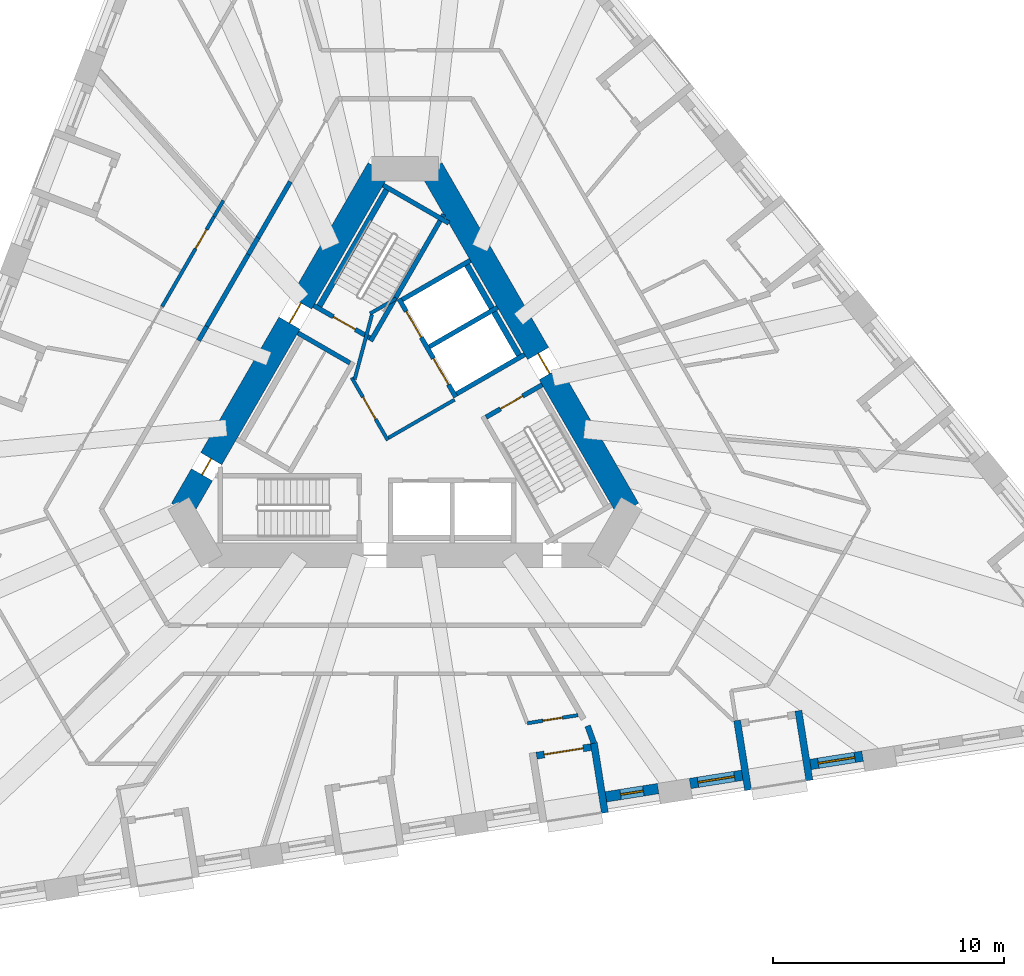
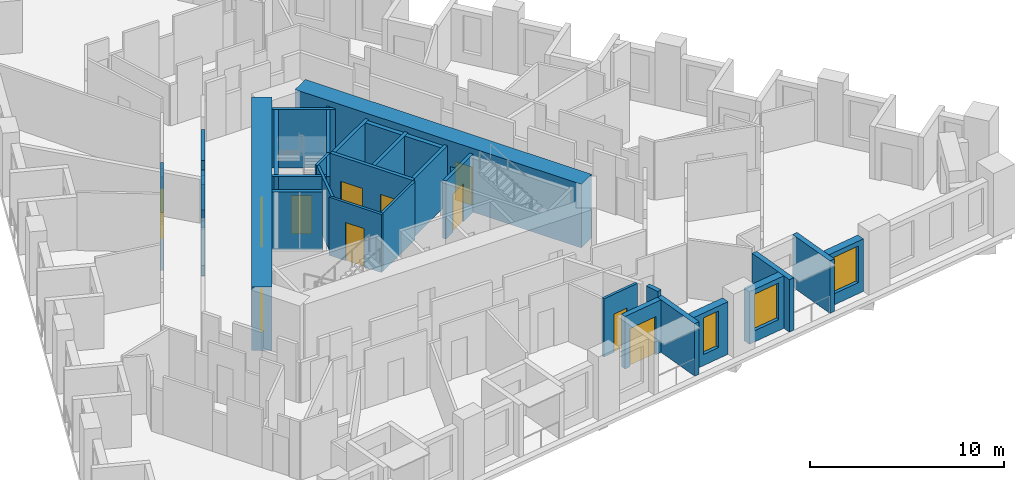
# One storey, part 5 of 14: 32 walls, 11 doors, 3 windows, 14 openings.
"""IFC4 building model written with IfcOpenShell, lengths in metres."""

from ifc_helpers import new_model, si_unit, direction, frame, frame_2d, origin, place, context, subcontext, project, spatial, rectangle, extrude, material, layer, layer_set, type_object, element, fill, save


model = new_model("IFC4")

# Units and contexts
model_context = context("Model", 3, precision=1e-05, world=origin(), true_north=direction((0.0, 1.0)))
body_context = subcontext(model_context, "Body", "Model", "MODEL_VIEW")
ifc_project = project(units=[si_unit("LENGTHUNIT", "METRE"), si_unit("AREAUNIT", "SQUARE_METRE"), si_unit("VOLUMEUNIT", "CUBIC_METRE"), si_unit("PLANEANGLEUNIT", "RADIAN"), si_unit("MASSUNIT", "GRAM", prefix="KILO")], contexts=[model_context])

# Site, building, storey
site_placement = place(None, origin())
site = spatial("IfcSite", under=ifc_project, at=site_placement, CompositionType="ELEMENT")
building_placement = place(site_placement, origin())
building = spatial("IfcBuilding", under=site, at=building_placement, Name="Tramontana Tower", CompositionType="ELEMENT")
storey_placement = place(building_placement, frame((0.0, 0.0, 79.199951171875)))
storey = spatial("IfcBuildingStorey", under=building, at=storey_placement, Name="L17", CompositionType="ELEMENT", Elevation=79.199951171875)

# Wall, openings, doors
ifc_material_1 = material(Name="Concrete 70 MPa", Category="concrete")
ifc_layer_1 = layer(ifc_material_1, 1.050048828125)
ifc_layer_set_1 = layer_set([ifc_layer_1], Name="Core wall 1050 70 MPa")
wall_type_1 = type_object("IfcWallType", Name="Core wall 1050 70 MPa", PredefinedType="SHEAR", material=ifc_layer_set_1)
wall_1_placement = place(storey_placement, frame((-1.140380859375, 10.47509765625, 0.0), z_axis=(0.0, 0.0, 1.0), x_axis=(-0.499985955615, -0.866033512162, 0.0)))
wall_1 = element("IfcWall", 1, at=wall_1_placement, inside=storey, type_object=wall_type_1, Name="Core wall C1 L17", PredefinedType="SHEAR", context=body_context, shape_type="SweptSolid", body=[
    extrude(rectangle(XDim=17.0029296875, YDim=1.050048828125, at=frame_2d((8.50146484375, 0.0))), origin(), (0.0, 0.0, 1.0), 4.0),
])
opening_1_placement = place(wall_1_placement, frame((6.70654296875, 0.0, 0.0)))
opening_1 = element("IfcOpeningElement", 2, at=opening_1_placement, cuts=wall_1, Name="Opening RG1", PredefinedType="OPENING", context=body_context, shape_type="SweptSolid", body=[
    extrude(rectangle(XDim=1.0, YDim=2.39990234375, at=frame_2d((0.5, 1.199951171875))), frame((0.0, 0.534912109375, 0.0), z_axis=(0.0, -1.0, 0.0), x_axis=(1.0, 0.0, 0.0)), (0.0, 0.0, 1.0), 1.070068359375),
])
opening_2_placement = place(wall_1_placement, frame((14.472412109375, 0.0, 0.0)))
opening_2 = element("IfcOpeningElement", 3, at=opening_2_placement, cuts=wall_1, Name="Opening PD1", PredefinedType="OPENING", context=body_context, shape_type="SweptSolid", body=[
    extrude(rectangle(XDim=0.800048828125, YDim=2.10009765625, at=frame_2d((0.39990234375, 1.050048828125))), frame((0.0, 0.534912109375, 0.0), z_axis=(0.0, -1.0, 0.0), x_axis=(1.0, 0.0, 0.0)), (0.0, 0.0, 1.0), 1.070068359375),
])
ifc_material_2 = material(Name="Painted steel", Category="steel")
door_type_1 = type_object("IfcDoorType", Name="CUPBOARD DOOR 800", OperationType="SINGLE_SWING_LEFT", PredefinedType="DOOR", material=ifc_material_2)
door_1_placement = place(opening_2_placement, origin())
door_1 = element("IfcDoor", 4, at=door_1_placement, inside=storey, type_object=door_type_1, Name="Door PD1", OperationType="SINGLE_SWING_LEFT", OverallHeight=2.10009765625, OverallWidth=0.800048828125, PredefinedType="DOOR", context=body_context, shape_type="SweptSolid", body=[
    extrude(rectangle(XDim=0.800048828125, YDim=2.10009765625, at=frame_2d((0.39990234375, 1.050048828125))), frame((0.0, 0.02490234375, 0.0), z_axis=(0.0, -1.0, 0.0), x_axis=(1.0, 0.0, 0.0)), (0.0, 0.0, 1.0), 0.050048828125),
])
fill(opening_2, door_1)
ifc_material_3 = material(Name="Painted steel", Category="steel")
door_type_2 = type_object("IfcDoorType", Name="RING DOOR 1000", OperationType="SINGLE_SWING_LEFT", PredefinedType="DOOR", material=ifc_material_3)
door_2_placement = place(opening_1_placement, origin())
door_2 = element("IfcDoor", 5, at=door_2_placement, inside=storey, type_object=door_type_2, Name="Door RG1", OperationType="SINGLE_SWING_RIGHT", OverallHeight=2.39990234375, OverallWidth=1.0, PredefinedType="DOOR", context=body_context, shape_type="SweptSolid", body=[
    extrude(rectangle(XDim=1.0, YDim=2.39990234375, at=frame_2d((0.5, 1.199951171875))), frame((0.0, 0.02490234375, 0.0), z_axis=(0.0, -1.0, 0.0), x_axis=(1.0, 0.0, 0.0)), (0.0, 0.0, 1.0), 0.050048828125),
])
fill(opening_1, door_2)

# Wall, opening, door
wall_2_placement = place(storey_placement, frame((9.6416015625, -4.25, 0.0), z_axis=(0.0, 0.0, 1.0), x_axis=(-0.499985955615, 0.866033512162, 0.0)))
wall_2 = element("IfcWall", 6, at=wall_2_placement, inside=storey, type_object=wall_type_1, Name="Core wall C5 L17", PredefinedType="SHEAR", context=body_context, shape_type="SweptSolid", body=[
    extrude(rectangle(XDim=17.0029296875, YDim=1.050048828125, at=frame_2d((8.50146484375, 0.0))), origin(), (0.0, 0.0, 1.0), 4.0),
])
opening_3_placement = place(wall_2_placement, frame((6.7763671875, 0.0, 0.0)))
opening_3 = element("IfcOpeningElement", 7, at=opening_3_placement, cuts=wall_2, Name="Opening RG3", PredefinedType="OPENING", context=body_context, shape_type="SweptSolid", body=[
    extrude(rectangle(XDim=1.0, YDim=2.39990234375, at=frame_2d((0.5, 1.199951171875))), frame((0.0, 0.534912109375, 0.0), z_axis=(0.0, -1.0, 0.0), x_axis=(1.0, 0.0, 0.0)), (0.0, 0.0, 1.0), 1.070068359375),
])
door_3_placement = place(opening_3_placement, origin())
door_3 = element("IfcDoor", 8, at=door_3_placement, inside=storey, type_object=door_type_2, Name="Door RG3", OperationType="SINGLE_SWING_RIGHT", OverallHeight=2.39990234375, OverallWidth=1.0, PredefinedType="DOOR", context=body_context, shape_type="SweptSolid", body=[
    extrude(rectangle(XDim=1.0, YDim=2.39990234375, at=frame_2d((0.5, 1.199951171875))), frame((0.0, 0.02490234375, 0.0), z_axis=(0.0, -1.0, 0.0), x_axis=(1.0, 0.0, 0.0)), (0.0, 0.0, 1.0), 0.050048828125),
])
fill(opening_3, door_3)

# Walls
ifc_material_4 = material(Name="Blockwork", Category="masonry")
ifc_layer_2 = layer(ifc_material_4, 0.199951171875)
ifc_layer_set_2 = layer_set([ifc_layer_2], Name="ENTRY WALL 200")
wall_type_2 = type_object("IfcWallType", Name="ENTRY WALL 200", PredefinedType="SOLIDWALL", material=ifc_layer_set_2)
wall_3_placement = place(storey_placement, frame((-8.92041015625, 3.04931640625, 0.0), z_axis=(0.0, 0.0, 1.0), x_axis=(0.499881507708, 0.866093804534, 0.0)))
element("IfcWall", 9, at=wall_3_placement, inside=storey, type_object=wall_type_2, Name="Wall v12-ew4-3", PredefinedType="SOLIDWALL", context=body_context, shape_type="SweptSolid", body=[
    extrude(rectangle(XDim=0.708740234375, YDim=0.199951171875, at=frame_2d((0.3544921875, 0.0))), origin(), (0.0, 0.0, 1.0), 2.949951171875),
])
wall_4_placement = place(storey_placement, frame((-8.566162109375, 3.6630859375, 0.0), z_axis=(0.0, 0.0, 1.0), x_axis=(0.500013241293, 0.866017758786, 0.0)))
element("IfcWall", 10, at=wall_4_placement, inside=storey, type_object=wall_type_2, Name="Wall v12-ew4-4", PredefinedType="SOLIDWALL", context=body_context, shape_type="SweptSolid", body=[
    extrude(rectangle(XDim=3.58544921875, YDim=0.199951171875, at=frame_2d((1.792724609375, 0.0))), origin(), (0.0, 0.0, 1.0), 3.650146484375),
])
wall_5_placement = place(storey_placement, frame((-6.7734375, 6.76806640625, 0.0), z_axis=(0.0, 0.0, 1.0), x_axis=(0.500117447933, 0.865957584569, 0.0)))
element("IfcWall", 11, at=wall_5_placement, inside=storey, type_object=wall_type_2, Name="Wall v12-ew4-5", PredefinedType="SOLIDWALL", context=body_context, shape_type="SweptSolid", body=[
    extrude(rectangle(XDim=0.838134765625, YDim=0.199951171875, at=frame_2d((0.4189453125, 0.0))), origin(), (0.0, 0.0, 1.0), 2.75),
])
wall_6_placement = place(storey_placement, frame((-6.354248046875, 7.493896484375, 0.0), z_axis=(0.0, 0.0, 1.0), x_axis=(0.499964529649, 0.866045881633, 0.0)))
element("IfcWall", 12, at=wall_6_placement, inside=storey, type_object=wall_type_2, Name="Wall v12-ew4-6", PredefinedType="SOLIDWALL", context=body_context, shape_type="SweptSolid", body=[
    extrude(rectangle(XDim=2.793701171875, YDim=0.199951171875, at=frame_2d((1.39697265625, 0.0))), origin(), (0.0, 0.0, 1.0), 3.650146484375),
])

# Wall, opening, window
ifc_material_5 = material(Name="Precast concrete 60 MPa", Category="concrete")
ifc_layer_3 = layer(ifc_material_5, 0.449951171875)
ifc_layer_set_3 = layer_set([ifc_layer_3], Name="Precast concrete 60 MPa, 450 mm")
wall_type_3 = type_object("IfcWallType", Name="EW1 Stone-faced precast wall 450", PredefinedType="SOLIDWALL", material=ifc_layer_set_3)
wall_7_placement = place(storey_placement, frame((8.680908203125, -16.67236328125, 0.0), z_axis=(0.0, 0.0, 1.0), x_axis=(0.987685675151, 0.156451293065, 0.0)))
wall_7 = element("IfcWall", 13, at=wall_7_placement, inside=storey, type_object=wall_type_3, Name="External wall L17 face 1 bay 4", PredefinedType="SOLIDWALL", context=body_context, shape_type="SweptSolid", body=[
    extrude(rectangle(XDim=2.282958984375, YDim=0.449951171875, at=frame_2d((1.1416015625, 0.0))), origin(), (0.0, 0.0, 1.0), 3.300048828125),
])
opening_4_placement = place(wall_7_placement, frame((0.6416015625, 0.0, 0.699951171875)))
opening_4 = element("IfcOpeningElement", 14, at=opening_4_placement, cuts=wall_7, Name="Opening N1", PredefinedType="OPENING", context=body_context, shape_type="SweptSolid", body=[
    extrude(rectangle(XDim=1.0, YDim=2.300048828125, at=frame_2d((0.5, 1.14990234375))), frame((0.0, 0.23486328125, 0.0), z_axis=(0.0, -1.0, 0.0), x_axis=(1.0, 0.0, 0.0)), (0.0, 0.0, 1.0), 0.469970703125),
])
ifc_material_6 = material(Name="Aluminum frame, double glazing unit", Category="aluminium")
window_type_1 = type_object("IfcWindowType", Name="N1 Window 1 x 2.3", PartitioningType="SINGLE_PANEL", PredefinedType="WINDOW", material=ifc_material_6)
window_1_placement = place(opening_4_placement, origin())
window_1 = element("IfcWindow", 15, at=window_1_placement, inside=storey, type_object=window_type_1, Name="Window N1 L17 face 1 module 12", OverallHeight=2.300048828125, OverallWidth=1.0, PartitioningType="SINGLE_PANEL", PredefinedType="WINDOW", context=body_context, shape_type="SweptSolid", body=[
    extrude(rectangle(XDim=1.0, YDim=2.300048828125, at=frame_2d((0.5, 1.14990234375))), frame((0.0, 0.030029296875, 0.0), z_axis=(0.0, -1.0, 0.0), x_axis=(1.0, 0.0, 0.0)), (0.0, 0.0, 1.0), 0.06005859375),
])
fill(opening_4, window_1)

wall_8_placement = place(storey_placement, frame((12.318603515625, -16.09619140625, 0.0), z_axis=(0.0, 0.0, 1.0), x_axis=(0.987685675151, 0.156451293065, 0.0)))
wall_8 = element("IfcWall", 16, at=wall_8_placement, inside=storey, type_object=wall_type_3, Name="External wall L17 face 1 bay 5", PredefinedType="SOLIDWALL", context=body_context, shape_type="SweptSolid", body=[
    extrude(rectangle(XDim=2.282958984375, YDim=0.449951171875, at=frame_2d((1.1416015625, 0.0))), origin(), (0.0, 0.0, 1.0), 3.300048828125),
])
opening_5_placement = place(wall_8_placement, frame((0.341552734375, 0.0, 0.699951171875)))
opening_5 = element("IfcOpeningElement", 17, at=opening_5_placement, cuts=wall_8, Name="Opening M1", PredefinedType="OPENING", context=body_context, shape_type="SweptSolid", body=[
    extrude(rectangle(XDim=1.60009765625, YDim=2.300048828125, at=frame_2d((0.800048828125, 1.14990234375))), frame((0.0, 0.23486328125, 0.0), z_axis=(0.0, -1.0, 0.0), x_axis=(1.0, 0.0, 0.0)), (0.0, 0.0, 1.0), 0.469970703125),
])
ifc_material_7 = material(Name="Aluminum frame, double glazing unit", Category="aluminium")
window_type_2 = type_object("IfcWindowType", Name="M1 Window 1.6 x 2.3", PartitioningType="SINGLE_PANEL", PredefinedType="WINDOW", material=ifc_material_7)
window_2_placement = place(opening_5_placement, origin())
window_2 = element("IfcWindow", 18, at=window_2_placement, inside=storey, type_object=window_type_2, Name="Window M1 L17 face 1 module 13", OverallHeight=2.300048828125, OverallWidth=1.60009765625, PartitioningType="SINGLE_PANEL", PredefinedType="WINDOW", context=body_context, shape_type="SweptSolid", body=[
    extrude(rectangle(XDim=1.60009765625, YDim=2.300048828125, at=frame_2d((0.800048828125, 1.14990234375))), frame((0.0, 0.030029296875, 0.0), z_axis=(0.0, -1.0, 0.0), x_axis=(1.0, 0.0, 0.0)), (0.0, 0.0, 1.0), 0.06005859375),
])
fill(opening_5, window_2)

wall_9_placement = place(storey_placement, frame((17.519775390625, -15.2724609375, 0.0), z_axis=(0.0, 0.0, 1.0), x_axis=(0.987685675151, 0.156451293065, 0.0)))
wall_9 = element("IfcWall", 19, at=wall_9_placement, inside=storey, type_object=wall_type_3, Name="External wall L17 face 1 bay 5", PredefinedType="SOLIDWALL", context=body_context, shape_type="SweptSolid", body=[
    extrude(rectangle(XDim=2.282958984375, YDim=0.449951171875, at=frame_2d((1.1416015625, 0.0))), origin(), (0.0, 0.0, 1.0), 3.300048828125),
])
opening_6_placement = place(wall_9_placement, frame((0.341552734375, 0.0, 0.699951171875)))
opening_6 = element("IfcOpeningElement", 20, at=opening_6_placement, cuts=wall_9, Name="Opening M1", PredefinedType="OPENING", context=body_context, shape_type="SweptSolid", body=[
    extrude(rectangle(XDim=1.60009765625, YDim=2.300048828125, at=frame_2d((0.800048828125, 1.14990234375))), frame((0.0, 0.23486328125, 0.0), z_axis=(0.0, -1.0, 0.0), x_axis=(1.0, 0.0, 0.0)), (0.0, 0.0, 1.0), 0.469970703125),
])
window_3_placement = place(opening_6_placement, origin())
window_3 = element("IfcWindow", 21, at=window_3_placement, inside=storey, type_object=window_type_2, Name="Window M1 L17 face 1 module 15", OverallHeight=2.300048828125, OverallWidth=1.60009765625, PartitioningType="SINGLE_PANEL", PredefinedType="WINDOW", context=body_context, shape_type="SweptSolid", body=[
    extrude(rectangle(XDim=1.60009765625, YDim=2.300048828125, at=frame_2d((0.800048828125, 1.14990234375))), frame((0.0, 0.030029296875, 0.0), z_axis=(0.0, -1.0, 0.0), x_axis=(1.0, 0.0, 0.0)), (0.0, 0.0, 1.0), 0.06005859375),
])
fill(opening_6, window_3)

# Wall, opening, door
ifc_material_8 = material(Name="Precast concrete 60 MPa", Category="concrete")
ifc_layer_4 = layer(ifc_material_8, 0.300048828125)
ifc_layer_set_4 = layer_set([ifc_layer_4], Name="LW1 Stone-faced loggia wall 300")
wall_type_4 = type_object("IfcWallType", Name="LW1 Stone-faced loggia wall 300", PredefinedType="SOLIDWALL", material=ifc_layer_set_4)
wall_10_placement = place(storey_placement, frame((5.682861328125, -14.894287109375, 0.0), z_axis=(0.0, 0.0, 1.0), x_axis=(0.987688093492, 0.15643602518, 0.0)))
wall_10 = element("IfcWall", 22, at=wall_10_placement, inside=storey, type_object=wall_type_4, Name="Loggia wall L17 G1S1.10", PredefinedType="SOLIDWALL", context=body_context, shape_type="SweptSolid", body=[
    extrude(rectangle(XDim=2.383056640625, YDim=0.300048828125, at=frame_2d((1.19140625, 0.0))), origin(), (0.0, 0.0, 1.0), 3.300048828125),
])
opening_7_placement = place(wall_10_placement, frame((0.341552734375, 0.0, 0.0)))
opening_7 = element("IfcOpeningElement", 23, at=opening_7_placement, cuts=wall_10, Name="Opening BD-1S1-10", PredefinedType="OPENING", context=body_context, shape_type="SweptSolid", body=[
    extrude(rectangle(XDim=1.699951171875, YDim=2.39990234375, at=frame_2d((0.85009765625, 1.199951171875))), frame((0.0, 0.159912109375, 0.0), z_axis=(0.0, -1.0, 0.0), x_axis=(1.0, 0.0, 0.0)), (0.0, 0.0, 1.0), 0.320068359375),
])
ifc_material_9 = material(Name="Aluminum frame, double glazing unit", Category="aluminium")
door_type_3 = type_object("IfcDoorType", Name="BD1 Sliding door 1.7 x 2.4", OperationType="SLIDING_TO_LEFT", PredefinedType="DOOR", material=ifc_material_9)
door_4_placement = place(opening_7_placement, origin())
door_4 = element("IfcDoor", 24, at=door_4_placement, inside=storey, type_object=door_type_3, Name="Loggia door L17 G1S1.10", OperationType="SLIDING_TO_LEFT", OverallHeight=2.39990234375, OverallWidth=1.699951171875, PredefinedType="DOOR", context=body_context, shape_type="SweptSolid", body=[
    extrude(rectangle(XDim=1.699951171875, YDim=2.39990234375, at=frame_2d((0.85009765625, 1.199951171875))), frame((0.0, 0.02490234375, 0.0), z_axis=(0.0, -1.0, 0.0), x_axis=(1.0, 0.0, 0.0)), (0.0, 0.0, 1.0), 0.050048828125),
])
fill(opening_7, door_4)

# Walls
for number, where, z_axis, x_axis, name in (
    (25, (8.638427734375, -17.3623046875, 0.0), (0.0, 0.0, 1.0), (-0.156410600741, 0.987692120033, 0.0), "Loggia return L17 G1S1.10b"),
    (26, (14.8271484375, -16.38232421875, 0.0), (0.0, 0.0, 1.0), (-0.156410600741, 0.987692120033, 0.0), "Loggia return L17 G1S1.13a"),
    (27, (17.47705078125, -15.96240234375, 0.0), (0.0, 0.0, 1.0), (-0.156410600741, 0.987692120033, 0.0), "Loggia return L17 G1S1.13b"),
):
    element("IfcWall", number, at=place(storey_placement, frame(where, z_axis=z_axis, x_axis=x_axis)), inside=storey, type_object=wall_type_4, Name=name, PredefinedType="SOLIDWALL", context=body_context, shape_type="SweptSolid", body=[
        extrude(rectangle(XDim=3.050048828125, YDim=0.300048828125, at=frame_2d((1.52490234375, 0.0))), origin(), (0.0, 0.0, 1.0), 3.300048828125),
    ])

# Wall, opening, door
ifc_material_10 = material(Name="Gypsum board partition")
ifc_layer_5 = layer(ifc_material_10, 0.14990234375)
ifc_layer_set_5 = layer_set([ifc_layer_5], Name="PARTITION 150")
wall_type_5 = type_object("IfcWallType", Name="PARTITION 150", PredefinedType="PARTITIONING", material=ifc_layer_set_5)
wall_11_placement = place(storey_placement, frame((-0.744140625, -1.260986328125, 0.0), z_axis=(0.0, 0.0, 1.0), x_axis=(-0.500004234368, 0.866022959057, 0.0)))
wall_11 = element("IfcWall", 28, at=wall_11_placement, inside=storey, type_object=wall_type_5, Name="Wall ff-front", PredefinedType="PARTITIONING", context=body_context, shape_type="SweptSolid", body=[
    extrude(rectangle(XDim=3.125, YDim=0.14990234375, at=frame_2d((1.5625, 0.0))), origin(), (0.0, 0.0, 1.0), 3.650146484375),
])
opening_8_placement = place(wall_11_placement, frame((1.050048828125, 0.0, 0.0)))
opening_8 = element("IfcOpeningElement", 29, at=opening_8_placement, cuts=wall_11, Name="Opening FD1", PredefinedType="OPENING", context=body_context, shape_type="SweptSolid", body=[
    extrude(rectangle(XDim=1.10009765625, YDim=2.39990234375, at=frame_2d((0.550048828125, 1.199951171875))), frame((0.0, 0.0849609375, 0.0), z_axis=(0.0, -1.0, 0.0), x_axis=(1.0, 0.0, 0.0)), (0.0, 0.0, 1.0), 0.169921875),
])
ifc_material_11 = material(Name="Painted timber", Category="wood")
door_type_4 = type_object("IfcDoorType", Name="DOOR ENTRY 1100", OperationType="SINGLE_SWING_LEFT", PredefinedType="DOOR", material=ifc_material_11)
door_5_placement = place(opening_8_placement, origin())
door_5 = element("IfcDoor", 30, at=door_5_placement, inside=storey, type_object=door_type_4, Name="Door FD1", OperationType="SINGLE_SWING_LEFT", OverallHeight=2.39990234375, OverallWidth=1.10009765625, PredefinedType="DOOR", context=body_context, shape_type="SweptSolid", body=[
    extrude(rectangle(XDim=1.10009765625, YDim=2.39990234375, at=frame_2d((0.550048828125, 1.199951171875))), frame((0.0, 0.02490234375, 0.0), z_axis=(0.0, -1.0, 0.0), x_axis=(1.0, 0.0, 0.0)), (0.0, 0.0, 1.0), 0.050048828125),
])
fill(opening_8, door_5)

# Walls
wall_12_placement = place(storey_placement, frame((-0.716796875, -1.15869140625, 0.0), z_axis=(0.0, 0.0, 1.0), x_axis=(0.866008176907, 0.50002983664, 0.0)))
element("IfcWall", 31, at=wall_12_placement, inside=storey, type_object=wall_type_5, Name="Wall ff-end0", PredefinedType="PARTITIONING", context=body_context, shape_type="SweptSolid", body=[
    extrude(rectangle(XDim=3.300048828125, YDim=0.14990234375, at=frame_2d((1.64990234375, 0.0))), origin(), (0.0, 0.0, 1.0), 3.650146484375),
])
wall_13_placement = place(storey_placement, frame((-2.177978515625, 1.372314453125, 0.0), z_axis=(0.0, 0.0, 1.0), x_axis=(0.258808958833, 0.96592852884, 0.0)))
element("IfcWall", 32, at=wall_13_placement, inside=storey, type_object=wall_type_5, Name="Wall ff-diag", PredefinedType="PARTITIONING", context=body_context, shape_type="SweptSolid", body=[
    extrude(rectangle(XDim=2.902587890625, YDim=0.14990234375, at=frame_2d((1.451171875, 0.0))), origin(), (0.0, 0.0, 1.0), 3.650146484375),
])
wall_14_placement = place(storey_placement, frame((-1.509765625, 4.21484375, 0.0), z_axis=(0.0, 0.0, 1.0), x_axis=(0.866085525409, 0.49989585183, 0.0)))
element("IfcWall", 33, at=wall_14_placement, inside=storey, type_object=wall_type_5, Name="Wall ff-end1", PredefinedType="PARTITIONING", context=body_context, shape_type="SweptSolid", body=[
    extrude(rectangle(XDim=1.300048828125, YDim=0.14990234375, at=frame_2d((0.64990234375, 0.0))), origin(), (0.0, 0.0, 1.0), 3.650146484375),
])

# Wall, opening, door
wall_15_placement = place(storey_placement, frame((-10.500244140625, 4.51318359375, 0.0), z_axis=(0.0, 0.0, 1.0), x_axis=(0.500001951578, 0.866024277037, 0.0)))
wall_15 = element("IfcWall", 34, at=wall_15_placement, inside=storey, type_object=wall_type_5, Name="Wall v12-pw03-4", PredefinedType="PARTITIONING", context=body_context, shape_type="SweptSolid", body=[
    extrude(rectangle(XDim=4.486328125, YDim=0.14990234375, at=frame_2d((2.2431640625, 0.0))), origin(), (0.0, 0.0, 1.0), 3.650146484375),
])
opening_9_placement = place(wall_15_placement, frame((2.894775390625, 0.0, 0.0)))
opening_9 = element("IfcOpeningElement", 35, at=opening_9_placement, cuts=wall_15, Name="Opening B1C-13", PredefinedType="OPENING", context=body_context, shape_type="SweptSolid", body=[
    extrude(rectangle(XDim=0.949951171875, YDim=2.39990234375, at=frame_2d((0.47509765625, 1.199951171875))), frame((0.0, 0.0849609375, 0.0), z_axis=(0.0, -1.0, 0.0), x_axis=(1.0, 0.0, 0.0)), (0.0, 0.0, 1.0), 0.169921875),
])
ifc_material_12 = material(Name="Painted timber", Category="wood")
door_type_5 = type_object("IfcDoorType", Name="DOOR ROOM 950", OperationType="SINGLE_SWING_LEFT", PredefinedType="DOOR", material=ifc_material_12)
door_6_placement = place(opening_9_placement, origin())
door_6 = element("IfcDoor", 36, at=door_6_placement, inside=storey, type_object=door_type_5, Name="Door B1C-13", OperationType="SINGLE_SWING_LEFT", OverallHeight=2.39990234375, OverallWidth=0.949951171875, PredefinedType="DOOR", context=body_context, shape_type="SweptSolid", body=[
    extrude(rectangle(XDim=0.949951171875, YDim=2.39990234375, at=frame_2d((0.47509765625, 1.199951171875))), frame((0.0, 0.02490234375, 0.0), z_axis=(0.0, -1.0, 0.0), x_axis=(1.0, 0.0, 0.0)), (0.0, 0.0, 1.0), 0.050048828125),
])
fill(opening_9, door_6)

# Wall
wall_16_placement = place(storey_placement, frame((-8.257080078125, 8.3984375, 0.0), z_axis=(0.0, 0.0, 1.0), x_axis=(0.500052144805, 0.865995295874, 0.0)))
element("IfcWall", 37, at=wall_16_placement, inside=storey, type_object=wall_type_5, Name="Wall v12-pw03-5", PredefinedType="PARTITIONING", context=body_context, shape_type="SweptSolid", body=[
    extrude(rectangle(XDim=0.81201171875, YDim=0.14990234375, at=frame_2d((0.406005859375, 0.0))), origin(), (0.0, 0.0, 1.0), 2.75),
])

# Wall, opening, door
wall_17_placement = place(storey_placement, frame((5.286376953125, -13.489013671875, 0.0), z_axis=(0.0, 0.0, 1.0), x_axis=(0.987682537926, 0.156471097252, 0.0)))
wall_17 = element("IfcWall", 38, at=wall_17_placement, inside=storey, type_object=wall_type_5, Name="Wall v12-pw30", PredefinedType="PARTITIONING", context=body_context, shape_type="SweptSolid", body=[
    extrude(rectangle(XDim=2.21875, YDim=0.14990234375, at=frame_2d((1.109375, 0.0))), origin(), (0.0, 0.0, 1.0), 3.650146484375),
])
opening_10_placement = place(wall_17_placement, frame((0.684326171875, 0.0, 0.0)))
opening_10 = element("IfcOpeningElement", 39, at=opening_10_placement, cuts=wall_17, Name="Opening B1C-17", PredefinedType="OPENING", context=body_context, shape_type="SweptSolid", body=[
    extrude(rectangle(XDim=0.85009765625, YDim=2.39990234375, at=frame_2d((0.425048828125, 1.199951171875))), frame((0.0, 0.0849609375, 0.0), z_axis=(0.0, -1.0, 0.0), x_axis=(1.0, 0.0, 0.0)), (0.0, 0.0, 1.0), 0.169921875),
])
ifc_material_13 = material(Name="Painted timber", Category="wood")
door_type_6 = type_object("IfcDoorType", Name="DOOR BATH 850", OperationType="SINGLE_SWING_LEFT", PredefinedType="DOOR", material=ifc_material_13)
door_7_placement = place(opening_10_placement, origin())
door_7 = element("IfcDoor", 40, at=door_7_placement, inside=storey, type_object=door_type_6, Name="Door B1C-17", OperationType="SINGLE_SWING_LEFT", OverallHeight=2.39990234375, OverallWidth=0.85009765625, PredefinedType="DOOR", context=body_context, shape_type="SweptSolid", body=[
    extrude(rectangle(XDim=0.85009765625, YDim=2.39990234375, at=frame_2d((0.425048828125, 1.199951171875))), frame((0.0, 0.02490234375, 0.0), z_axis=(0.0, -1.0, 0.0), x_axis=(1.0, 0.0, 0.0)), (0.0, 0.0, 1.0), 0.050048828125),
])
fill(opening_10, door_7)

# Walls
ifc_material_14 = material(Name="Blockwork", Category="masonry")
ifc_layer_6 = layer(ifc_material_14, 0.25)
ifc_layer_set_6 = layer_set([ifc_layer_6], Name="PARTY WALL 250")
wall_type_6 = type_object("IfcWallType", Name="PARTY WALL 250", PredefinedType="SOLIDWALL", material=ifc_layer_set_6)
wall_18_placement = place(storey_placement, frame((7.8916015625, -13.606201171875, 0.0), z_axis=(0.0, 0.0, 1.0), x_axis=(0.341024353222, -0.940054461459, 0.0)))
element("IfcWall", 41, at=wall_18_placement, inside=storey, type_object=wall_type_6, Name="Wall v12-pw31", PredefinedType="SOLIDWALL", context=body_context, shape_type="SweptSolid", body=[
    extrude(rectangle(XDim=0.791015625, YDim=0.25, at=frame_2d((0.3955078125, 0.0))), origin(), (0.0, 0.0, 1.0), 3.650146484375),
])
ifc_material_15 = material(Name="Concrete 70 MPa", Category="concrete")
ifc_layer_7 = layer(ifc_material_15, 0.25)
ifc_layer_set_7 = layer_set([ifc_layer_7], Name="Concrete 70 MPa, 250 mm")
wall_type_7 = type_object("IfcWallType", Name="RC SHAFT BACK WALL 250", PredefinedType="SOLIDWALL", material=ifc_layer_set_7)
wall_19_placement = place(storey_placement, frame((-0.701416015625, 9.73486328125, 0.0), z_axis=(0.0, 0.0, 1.0), x_axis=(-0.500026960575, -0.86600983753, 0.0)))
element("IfcWall", 42, at=wall_19_placement, inside=storey, type_object=wall_type_7, Name="Wall st1-back", PredefinedType="SOLIDWALL", context=body_context, shape_type="SweptSolid", body=[
    extrude(rectangle(XDim=6.199951171875, YDim=0.25, at=frame_2d((3.10009765625, 0.0))), origin(), (0.0, 0.0, 1.0), 3.650146484375),
])
wall_20_placement = place(storey_placement, frame((5.0263671875, 2.243896484375, 0.0), z_axis=(0.0, 0.0, 1.0), x_axis=(-0.500002801628, 0.866023786258, 0.0)))
element("IfcWall", 43, at=wall_20_placement, inside=storey, type_object=wall_type_7, Name="Wall row2-back", PredefinedType="SOLIDWALL", context=body_context, shape_type="SweptSolid", body=[
    extrude(rectangle(XDim=4.89990234375, YDim=0.25, at=frame_2d((2.449951171875, 0.0))), origin(), (0.0, 0.0, 1.0), 3.650146484375),
])
ifc_material_16 = material(Name="Concrete 70 MPa", Category="concrete")
ifc_layer_8 = layer(ifc_material_16, 0.199951171875)
ifc_layer_set_8 = layer_set([ifc_layer_8], Name="Concrete 70 MPa, 200 mm")
wall_type_8 = type_object("IfcWallType", Name="RC STAIR AND SHAFT WALL 200", PredefinedType="SOLIDWALL", material=ifc_layer_set_8)
wall_21_placement = place(storey_placement, frame((1.67431640625, 8.5, 0.0), z_axis=(0.0, 0.0, 1.0), x_axis=(-0.499995607161, -0.866027939976, 0.0)))
element("IfcWall", 44, at=wall_21_placement, inside=storey, type_object=wall_type_8, Name="Wall st1-front", PredefinedType="SOLIDWALL", context=body_context, shape_type="SweptSolid", body=[
    extrude(rectangle(XDim=6.318359375, YDim=0.199951171875, at=frame_2d((3.1591796875, 0.0))), origin(), (0.0, 0.0, 1.0), 3.650146484375),
])
wall_22_placement = place(storey_placement, frame((1.892578125, 8.121826171875, 0.0), z_axis=(0.0, 0.0, 1.0), x_axis=(-0.866006986733, 0.500031897912, 0.0)))
element("IfcWall", 45, at=wall_22_placement, inside=storey, type_object=wall_type_8, Name="Wall st1-far", PredefinedType="SOLIDWALL", context=body_context, shape_type="SweptSolid", body=[
    extrude(rectangle(XDim=3.278076171875, YDim=0.199951171875, at=frame_2d((1.63916015625, 0.0))), origin(), (0.0, 0.0, 1.0), 3.650146484375),
])

# Wall, opening, door
wall_23_placement = place(storey_placement, frame((-1.521484375, 3.164794921875, 0.0), z_axis=(0.0, 0.0, 1.0), x_axis=(-0.866034573852, 0.49998411664, 0.0)))
wall_23 = element("IfcWall", 46, at=wall_23_placement, inside=storey, type_object=wall_type_8, Name="Wall st1-near", PredefinedType="SOLIDWALL", context=body_context, shape_type="SweptSolid", body=[
    extrude(rectangle(XDim=2.7998046875, YDim=0.199951171875, at=frame_2d((1.39990234375, 0.0))), origin(), (0.0, 0.0, 1.0), 3.650146484375),
])
opening_11_placement = place(wall_23_placement, frame((0.72509765625, 0.0, 0.0)))
opening_11 = element("IfcOpeningElement", 47, at=opening_11_placement, cuts=wall_23, Name="Opening SD1", PredefinedType="OPENING", context=body_context, shape_type="SweptSolid", body=[
    extrude(rectangle(XDim=1.10009765625, YDim=2.39990234375, at=frame_2d((0.550048828125, 1.199951171875))), frame((0.0, 0.10986328125, 0.0), z_axis=(0.0, -1.0, 0.0), x_axis=(1.0, 0.0, 0.0)), (0.0, 0.0, 1.0), 0.219970703125),
])
ifc_material_17 = material(Name="Painted steel", Category="steel")
door_type_7 = type_object("IfcDoorType", Name="STAIR DOOR 1100", OperationType="SINGLE_SWING_LEFT", PredefinedType="DOOR", material=ifc_material_17)
door_8_placement = place(opening_11_placement, origin())
door_8 = element("IfcDoor", 48, at=door_8_placement, inside=storey, type_object=door_type_7, Name="Door SD1", OperationType="SINGLE_SWING_RIGHT", OverallHeight=2.39990234375, OverallWidth=1.10009765625, PredefinedType="DOOR", context=body_context, shape_type="SweptSolid", body=[
    extrude(rectangle(XDim=1.10009765625, YDim=2.39990234375, at=frame_2d((0.550048828125, 1.199951171875))), frame((0.0, 0.02490234375, 0.0), z_axis=(0.0, -1.0, 0.0), x_axis=(1.0, 0.0, 0.0)), (0.0, 0.0, 1.0), 0.050048828125),
])
fill(opening_11, door_8)

wall_24_placement = place(storey_placement, frame((3.50146484375, -0.2646484375, 0.0), z_axis=(0.0, 0.0, 1.0), x_axis=(0.866034573852, 0.49998411664, 0.0)))
wall_24 = element("IfcWall", 49, at=wall_24_placement, inside=storey, type_object=wall_type_8, Name="Wall st3-near", PredefinedType="SOLIDWALL", context=body_context, shape_type="SweptSolid", body=[
    extrude(rectangle(XDim=2.7998046875, YDim=0.199951171875, at=frame_2d((1.39990234375, 0.0))), origin(), (0.0, 0.0, 1.0), 3.650146484375),
])
opening_12_placement = place(wall_24_placement, frame((0.72509765625, 0.0, 0.0)))
opening_12 = element("IfcOpeningElement", 50, at=opening_12_placement, cuts=wall_24, Name="Opening SD3", PredefinedType="OPENING", context=body_context, shape_type="SweptSolid", body=[
    extrude(rectangle(XDim=1.10009765625, YDim=2.39990234375, at=frame_2d((0.550048828125, 1.199951171875))), frame((0.0, 0.10986328125, 0.0), z_axis=(0.0, -1.0, 0.0), x_axis=(1.0, 0.0, 0.0)), (0.0, 0.0, 1.0), 0.219970703125),
])
door_9_placement = place(opening_12_placement, origin())
door_9 = element("IfcDoor", 51, at=door_9_placement, inside=storey, type_object=door_type_7, Name="Door SD3", OperationType="SINGLE_SWING_RIGHT", OverallHeight=2.39990234375, OverallWidth=1.10009765625, PredefinedType="DOOR", context=body_context, shape_type="SweptSolid", body=[
    extrude(rectangle(XDim=1.10009765625, YDim=2.39990234375, at=frame_2d((0.550048828125, 1.199951171875))), frame((0.0, 0.02490234375, 0.0), z_axis=(0.0, -1.0, 0.0), x_axis=(1.0, 0.0, 0.0)), (0.0, 0.0, 1.0), 0.050048828125),
])
fill(opening_12, door_9)

# Wall
wall_25_placement = place(storey_placement, frame((-2.379638671875, 2.078369140625, 0.0), z_axis=(0.0, 0.0, 1.0), x_axis=(-0.866062058628, 0.499936506574, 0.0)))
element("IfcWall", 52, at=wall_25_placement, inside=storey, type_object=wall_type_8, Name="Wall row0-side0", PredefinedType="SOLIDWALL", context=body_context, shape_type="SweptSolid", body=[
    extrude(rectangle(XDim=2.599853515625, YDim=0.199951171875, at=frame_2d((1.2998046875, 0.0))), origin(), (0.0, 0.0, 1.0), 3.650146484375),
])

# Wall, openings, doors
wall_26_placement = place(storey_placement, frame((2.190185546875, 0.6064453125, 0.0), z_axis=(0.0, 0.0, 1.0), x_axis=(-0.500002801628, 0.866023786258, 0.0)))
wall_26 = element("IfcWall", 53, at=wall_26_placement, inside=storey, type_object=wall_type_8, Name="Wall row2-front", PredefinedType="SOLIDWALL", context=body_context, shape_type="SweptSolid", body=[
    extrude(rectangle(XDim=4.89990234375, YDim=0.199951171875, at=frame_2d((2.449951171875, 0.0))), origin(), (0.0, 0.0, 1.0), 3.650146484375),
])
opening_13_placement = place(wall_26_placement, frame((0.625, 0.0, 0.0)))
opening_13 = element("IfcOpeningElement", 54, at=opening_13_placement, cuts=wall_26, Name="Opening LD-F1", PredefinedType="OPENING", context=body_context, shape_type="SweptSolid", body=[
    extrude(rectangle(XDim=1.300048828125, YDim=2.10009765625, at=frame_2d((0.64990234375, 1.050048828125))), frame((0.0, 0.10986328125, 0.0), z_axis=(0.0, -1.0, 0.0), x_axis=(1.0, 0.0, 0.0)), (0.0, 0.0, 1.0), 0.219970703125),
])
opening_14_placement = place(wall_26_placement, frame((2.97509765625, 0.0, 0.0)))
opening_14 = element("IfcOpeningElement", 55, at=opening_14_placement, cuts=wall_26, Name="Opening LD-F2", PredefinedType="OPENING", context=body_context, shape_type="SweptSolid", body=[
    extrude(rectangle(XDim=1.300048828125, YDim=2.10009765625, at=frame_2d((0.64990234375, 1.050048828125))), frame((0.0, 0.10986328125, 0.0), z_axis=(0.0, -1.0, 0.0), x_axis=(1.0, 0.0, 0.0)), (0.0, 0.0, 1.0), 0.219970703125),
])
ifc_material_18 = material(Name="Brushed steel", Category="steel")
door_type_8 = type_object("IfcDoorType", Name="LANDING DOOR 1300", OperationType="SINGLE_SWING_LEFT", PredefinedType="DOOR", material=ifc_material_18)
door_10_placement = place(opening_13_placement, origin())
door_10 = element("IfcDoor", 56, at=door_10_placement, inside=storey, type_object=door_type_8, Name="Door LD-F1", OperationType="SLIDING_TO_LEFT", OverallHeight=2.10009765625, OverallWidth=1.300048828125, PredefinedType="DOOR", context=body_context, shape_type="SweptSolid", body=[
    extrude(rectangle(XDim=1.300048828125, YDim=2.10009765625, at=frame_2d((0.64990234375, 1.050048828125))), frame((0.0, 0.02490234375, 0.0), z_axis=(0.0, -1.0, 0.0), x_axis=(1.0, 0.0, 0.0)), (0.0, 0.0, 1.0), 0.050048828125),
])
fill(opening_13, door_10)
door_11_placement = place(opening_14_placement, origin())
door_11 = element("IfcDoor", 57, at=door_11_placement, inside=storey, type_object=door_type_8, Name="Door LD-F2", OperationType="SLIDING_TO_RIGHT", OverallHeight=2.10009765625, OverallWidth=1.300048828125, PredefinedType="DOOR", context=body_context, shape_type="SweptSolid", body=[
    extrude(rectangle(XDim=1.300048828125, YDim=2.10009765625, at=frame_2d((0.64990234375, 1.050048828125))), frame((0.0, 0.02490234375, 0.0), z_axis=(0.0, -1.0, 0.0), x_axis=(1.0, 0.0, 0.0)), (0.0, 0.0, 1.0), 0.050048828125),
])
fill(opening_14, door_11)

# Walls
for number, where, z_axis, x_axis, name in (
    (58, (2.226806640625, 0.742919921875, 0.0), (0.0, 0.0, 1.0), (0.866038511948, 0.499977295307, 0.0), "Wall row2-side0"),
    (59, (1.0517578125, 2.778076171875, 0.0), (0.0, 0.0, 1.0), (0.866038511948, 0.499977295307, 0.0), "Wall row2-side1"),
):
    element("IfcWall", number, at=place(storey_placement, frame(where, z_axis=z_axis, x_axis=x_axis)), inside=storey, type_object=wall_type_8, Name=name, PredefinedType="SOLIDWALL", context=body_context, shape_type="SweptSolid", body=[
        extrude(rectangle(XDim=3.400146484375, YDim=0.199951171875, at=frame_2d((1.7001953125, 0.0))), origin(), (0.0, 0.0, 1.0), 3.650146484375),
    ])
wall_27_placement = place(storey_placement, frame((-0.123046875, 4.813232421875, 0.0), z_axis=(0.0, 0.0, 1.0), x_axis=(0.866020560687, 0.500008388397, 0.0)))
element("IfcWall", 60, at=wall_27_placement, inside=storey, type_object=wall_type_8, Name="Wall row2-side2", PredefinedType="SOLIDWALL", context=body_context, shape_type="SweptSolid", body=[
    extrude(rectangle(XDim=3.39990234375, YDim=0.199951171875, at=frame_2d((1.699951171875, 0.0))), origin(), (0.0, 0.0, 1.0), 3.650146484375),
])

save(model, "model.ifc")
